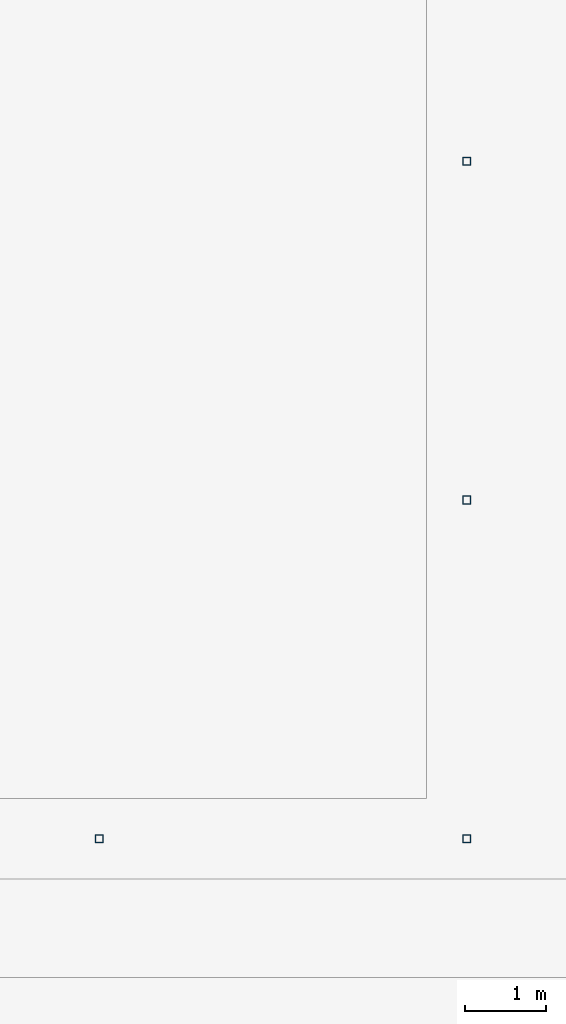
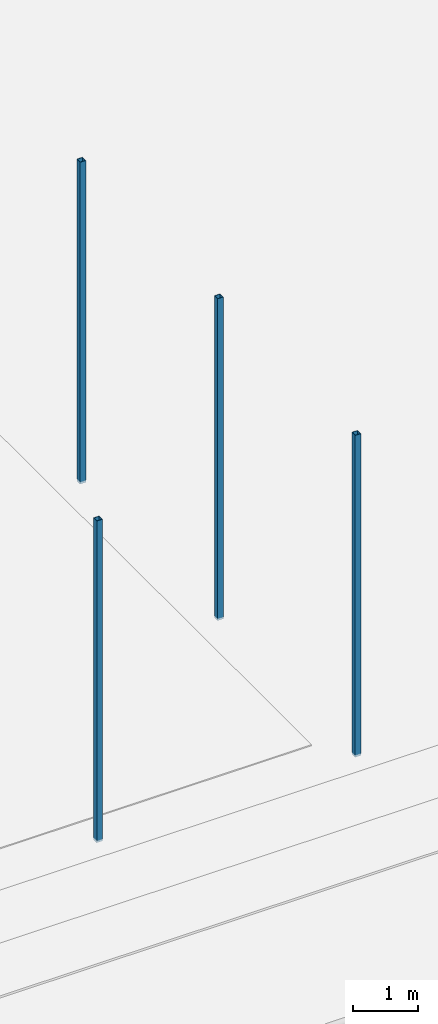
# One storey, part 78 of 127: 4 discrete accessories.
"""IFC4 building model written with IfcOpenShell, lengths in metres."""

from ifc_helpers import new_model, si_unit, direction, frame, origin, origin_2d, place, context, subcontext, project, spatial, hollow_rectangle, extrude, material, type_object, element, save


model = new_model("IFC4")

# Units and contexts
model_context = context("Model", 3, precision=1e-05, world=origin(), true_north=direction((0.0, 1.0)))
body_context = subcontext(model_context, "Body", "Model", "MODEL_VIEW")
ifc_project = project(units=[si_unit("LENGTHUNIT", "METRE"), si_unit("AREAUNIT", "SQUARE_METRE"), si_unit("VOLUMEUNIT", "CUBIC_METRE"), si_unit("PLANEANGLEUNIT", "RADIAN"), si_unit("MASSUNIT", "GRAM", prefix="KILO")], contexts=[model_context])

# Site, building, storey
site_placement = place(None, origin())
site = spatial("IfcSite", under=ifc_project, at=site_placement, CompositionType="ELEMENT")
building_placement = place(site_placement, origin())
building = spatial("IfcBuilding", under=site, at=building_placement, Name="Verrick Yard Athletic Hall", CompositionType="ELEMENT")
storey_placement = place(building_placement, frame((0.0, 0.0, 14.0)))
storey = spatial("IfcBuildingStorey", under=building, at=storey_placement, Name="L03", CompositionType="ELEMENT", Elevation=14.0)

# Discrete accessories
ifc_material = material(Name="Structural steel HSS Class C 350W (CSA G40.20/G40.21)", Category="steel")
discrete_accessory_type = type_object("IfcDiscreteAccessoryType", Name="Ball stop post", PredefinedType="USERDEFINED", material=ifc_material)
for number, where, z_axis, x_axis, name in (
    (1, (114.744384765625, 25.5, 0.0), (0.0, 0.0, 1.0), (1.0, 0.0, 0.0), "Ball stop post 9"),
    (2, (119.300048828125, 25.5, 0.0), (0.0, 0.0, 1.0), (1.0, 0.0, 0.0), "Ball stop post 10"),
    (3, (119.300048828125, 29.699951171875, 0.0), (0.0, 0.0, 1.0), (1.0, 0.0, 0.0), "Ball stop post 11"),
    (4, (119.300048828125, 33.89990234375, 0.0), (0.0, 0.0, 1.0), (1.0, 0.0, 0.0), "Ball stop post 12"),
):
    element("IfcDiscreteAccessory", number, at=place(storey_placement, frame(where, z_axis=z_axis, x_axis=x_axis)), inside=storey, type_object=discrete_accessory_type, Name=name, ObjectType="BALL STOP POST", PredefinedType="USERDEFINED", context=body_context, shape_type="SweptSolid", body=[
        extrude(hollow_rectangle(XDim=0.1015625, YDim=0.1015625, WallThickness=0.00634765625, at=origin_2d()), origin(), (0.0, 0.0, 1.0), 6.0),
    ])

save(model, "model.ifc")
